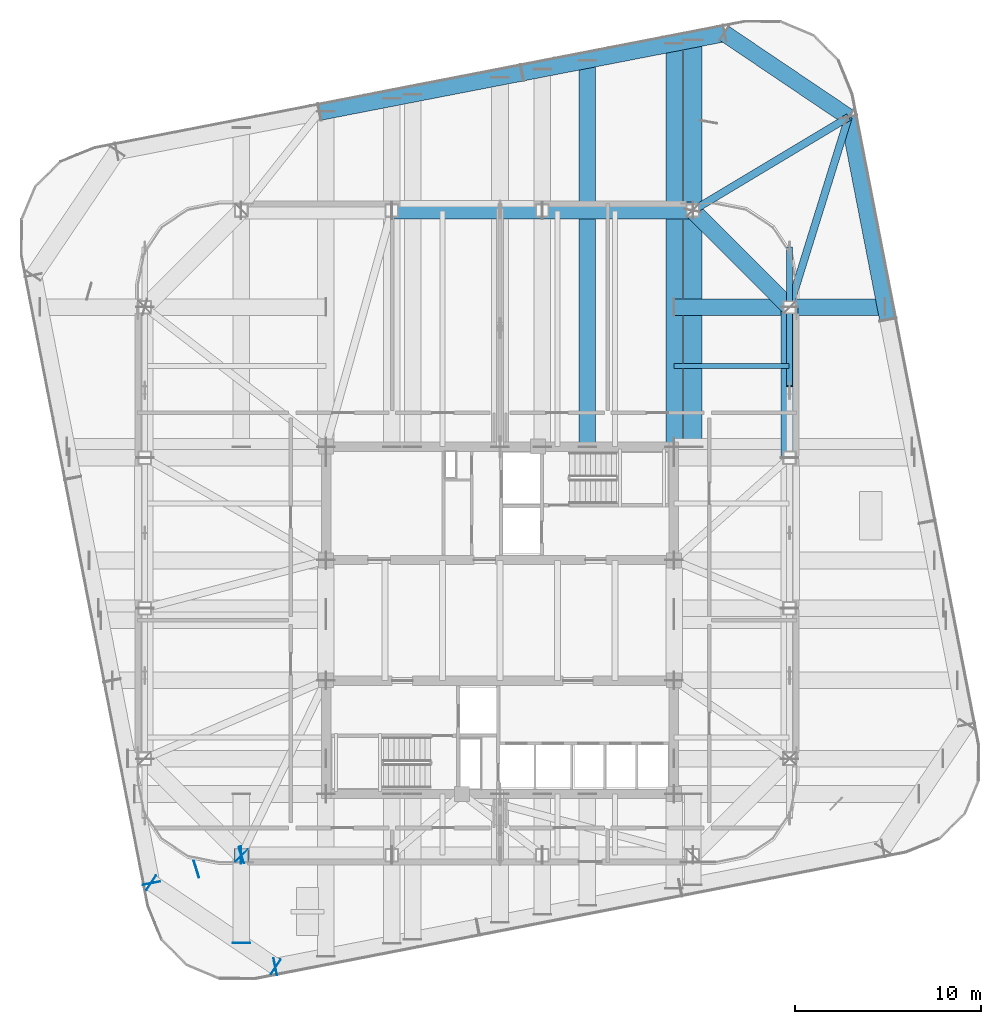
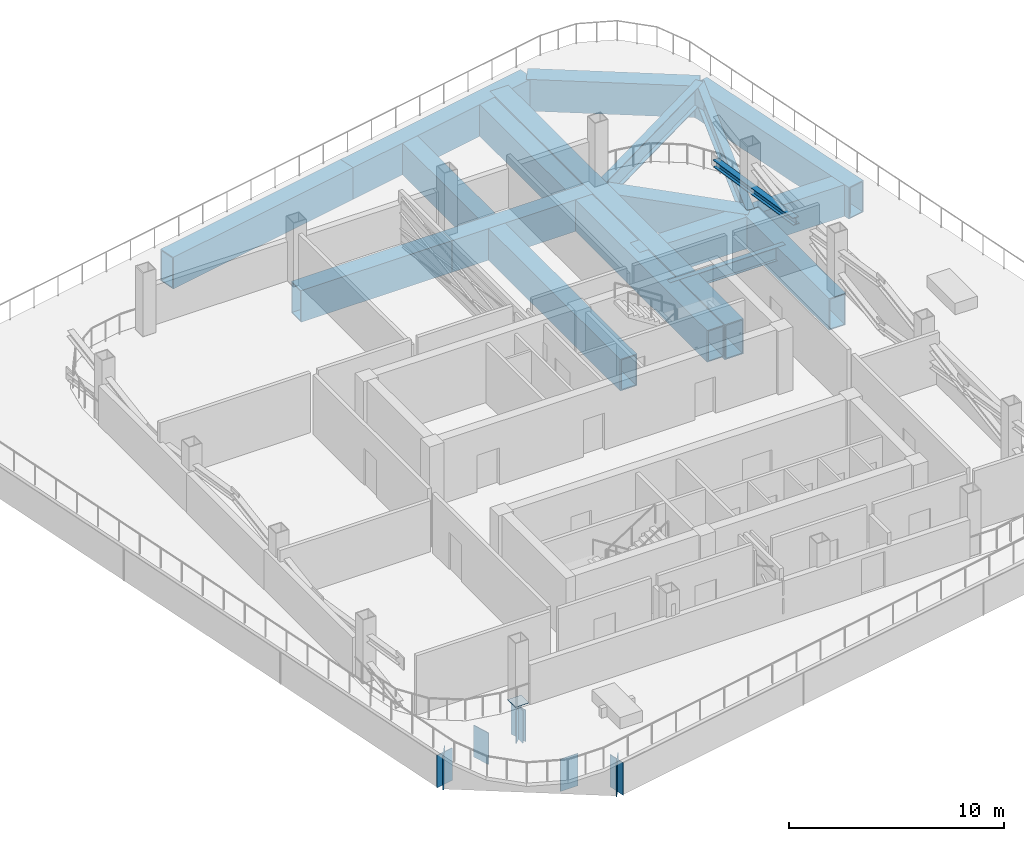
# One storey, part 3 of 14: 15 beams, 10 plates, 1 member.
"""IFC4 building model written with IfcOpenShell, lengths in metres."""

import ifcopenshell
import ifcopenshell.guid

model = None  # the IFC model being written
_history = None  # IfcOwnerHistory: only IFC2X3 demands one
_inside = {}  # id of a spatial element -> (the spatial element, [elements in it])
_under = {}  # id of a project, library or spatial element -> (it, [spatial elements below it])
_declared = {}  # id of a project -> (the project, [libraries it declares])
_typed = {}  # id of a type object -> (the type object, [elements of that type])
_made_of = {}  # id of a material, layer set ... -> (it, [elements and type objects made of it])


def new_model(schema):
    """Start an empty IFC model of exactly this schema.

    Asked for "IFC4X3", IfcOpenShell would pick the latest addendum, in which some entities
    have other attributes; the version numbers below select the first issue.
    IFC2X3 requires an IfcOwnerHistory on every rooted entity: one is made here for all.
    """
    global model, _history
    if schema == "IFC4X3":
        model = ifcopenshell.file(schema_version=(4, 3, 0, 0))
    else:
        model = ifcopenshell.file(schema=schema)
    _inside.clear()
    _under.clear()
    _declared.clear()
    _typed.clear()
    _made_of.clear()
    _history = None
    if model.schema == "IFC2X3":
        org = make("IfcOrganization", Name="unknown")
        user = make(
            "IfcPersonAndOrganization",
            ThePerson=make("IfcPerson", FamilyName="unknown"),
            TheOrganization=org,
        )
        app = make(
            "IfcApplication",
            ApplicationDeveloper=org,
            Version="unknown",
            ApplicationFullName="unknown",
            ApplicationIdentifier="unknown",
        )
        _history = make(
            "IfcOwnerHistory",
            OwningUser=user,
            OwningApplication=app,
            ChangeAction="ADDED",
            CreationDate=0,
        )
    return model


def make(cls, **values):
    """One entity of the class cls with the attributes given. An attribute that is None is left unset."""
    return model.create_entity(
        cls, **{name: value for name, value in values.items() if value is not None}
    )


def rooted(cls, **values):
    """An entity with a GlobalId (a new one), such as an element, a storey or a relation."""
    return make(cls, GlobalId=ifcopenshell.guid.new(), OwnerHistory=_history, **values)


def si_unit(unit_type, name, prefix=None):
    """IfcSIUnit, for example si_unit("LENGTHUNIT", "METRE", prefix="MILLI")."""
    return make("IfcSIUnit", UnitType=unit_type, Prefix=prefix, Name=name)


def assignment(units):
    """IfcUnitAssignment: the units of a project."""
    return None if units is None else make("IfcUnitAssignment", Units=units)


def point(xyz):
    """IfcCartesianPoint."""
    return None if xyz is None else make("IfcCartesianPoint", Coordinates=xyz)


def direction(xyz):
    """IfcDirection."""
    return None if xyz is None else make("IfcDirection", DirectionRatios=xyz)


def frame(location, z_axis=None, x_axis=None):
    """IfcAxis2Placement3D, a coordinate frame: its origin and axes. An axis left out is left unset."""
    return make(
        "IfcAxis2Placement3D",
        Location=point(location),
        Axis=direction(z_axis),
        RefDirection=direction(x_axis),
    )


def frame_2d(location, x_axis=None):
    """IfcAxis2Placement2D, a coordinate frame in the plane: its origin and x axis."""
    return make(
        "IfcAxis2Placement2D", Location=point(location), RefDirection=direction(x_axis)
    )


def origin():
    """The frame at (0, 0, 0) with its axes left unset."""
    return frame((0.0, 0.0, 0.0))


def origin_2d():
    """The frame at (0, 0) in the plane with its x axis left unset."""
    return frame_2d((0.0, 0.0))


def place(relative_to, where):
    """IfcLocalPlacement: puts the frame where relative to a parent placement (None: the world)."""
    return make(
        "IfcLocalPlacement", PlacementRelTo=relative_to, RelativePlacement=where
    )


def context(
    kind, dimensions, precision=None, world=None, true_north=None, identifier=None
):
    """IfcGeometricRepresentationContext, for example the 3D "Model" context."""
    return make(
        "IfcGeometricRepresentationContext",
        ContextIdentifier=identifier,
        ContextType=kind,
        CoordinateSpaceDimension=dimensions,
        Precision=precision,
        WorldCoordinateSystem=world,
        TrueNorth=true_north,
    )


def subcontext(parent, identifier, kind, view, scale=None):
    """IfcGeometricRepresentationSubContext, for example "Body" below "Model"."""
    return make(
        "IfcGeometricRepresentationSubContext",
        ContextIdentifier=identifier,
        ContextType=kind,
        ParentContext=parent,
        TargetScale=scale,
        TargetView=view,
    )


def project(units=None, contexts=None):
    """IfcProject with its units and contexts."""
    return rooted(
        "IfcProject",
        Name="project",
        RepresentationContexts=contexts,
        UnitsInContext=assignment(units),
    )


def spatial(cls, under=None, at=None, **own):
    """A site, building, storey or space (cls), placed at a placement, below another one or the project."""
    s = rooted(cls, ObjectPlacement=at, **own)
    if under is not None:
        _under.setdefault(under.id(), (under, []))[1].append(s)
    return s


def profile(cls, at=None, kind="AREA", **sizes):
    """A parametric profile (cls). Its sizes go by their IFC names, for example OverallWidth=200.0."""
    return make(cls, ProfileType=kind, Position=at, **sizes)


def rectangle(**sizes):
    """IfcRectangleProfileDef."""
    return profile("IfcRectangleProfileDef", **sizes)


def hollow_rectangle(**sizes):
    """IfcRectangleHollowProfileDef."""
    return profile("IfcRectangleHollowProfileDef", **sizes)


def i_section(**sizes):
    """IfcIShapeProfileDef."""
    return profile("IfcIShapeProfileDef", **sizes)


def extrude(swept, where, along, depth):
    """IfcExtrudedAreaSolid: the profile swept, set in the frame where, extruded along a direction by depth."""
    return make(
        "IfcExtrudedAreaSolid",
        SweptArea=swept,
        Position=where,
        ExtrudedDirection=direction(along),
        Depth=depth,
    )


def shape(context_of_items, identifier, shape_type, items):
    """IfcShapeRepresentation: the items that make up one representation, for example the "Body"."""
    return make(
        "IfcShapeRepresentation",
        ContextOfItems=context_of_items,
        RepresentationIdentifier=identifier,
        RepresentationType=shape_type,
        Items=items,
    )


def material(Name=None, Category=None):
    """IfcMaterial."""
    return make("IfcMaterial", Name=Name, Category=Category)


def layer(
    of_material, thickness, ventilated=None, Name=None, Category=None, Priority=None
):
    """IfcMaterialLayer: one layer of a wall or slab, of a material (None: an air gap)."""
    return make(
        "IfcMaterialLayer",
        Material=of_material,
        LayerThickness=thickness,
        IsVentilated=ventilated,
        Name=Name,
        Category=Category,
        Priority=Priority,
    )


def layer_set(layers, Name=None):
    """IfcMaterialLayerSet."""
    return make("IfcMaterialLayerSet", MaterialLayers=layers, LayerSetName=Name)


def material_profile(
    of_material, cross_section, Name=None, Category=None, Priority=None
):
    """IfcMaterialProfile: a cross section and its material."""
    return make(
        "IfcMaterialProfile",
        Name=Name,
        Material=of_material,
        Profile=cross_section,
        Priority=Priority,
        Category=Category,
    )


def profile_set(profiles, Name=None, composite=None):
    """IfcMaterialProfileSet."""
    return make(
        "IfcMaterialProfileSet",
        Name=Name,
        MaterialProfiles=profiles,
        CompositeProfile=composite,
    )


def made_of(thing, what):
    """Note that an element or type object is made of a material, layer set ...; save() writes the relation."""
    if what is not None:
        _made_of.setdefault(what.id(), (what, []))[1].append(thing)
    return thing


def type_object(cls, material=None, **own):
    """A type object (cls), such as IfcWallType, which elements share."""
    return made_of(rooted(cls, **own), material)


def element(
    cls,
    number,
    at=None,
    inside=None,
    cuts=None,
    type_object=None,
    material=None,
    context=None,
    identifier="Body",
    shape_type=None,
    held_by="IfcProductDefinitionShape",
    body=None,
    shapes=None,
    **own,
):
    """One element of the class cls, such as IfcWall. Its Tag is "e" and its number.

    at: its placement. inside: the storey or other place that contains it. cuts: it is an
    opening in that element (IfcRelVoidsElement). A single representation is given by context,
    identifier, shape_type and body (its items); several are given by shapes. held_by: the class
    of the entity that holds the representations. save() writes the other relations.
    """
    e = rooted(cls, Tag="e%d" % number, ObjectPlacement=at, **own)
    if body is not None:
        shapes = [shape(context, identifier, shape_type, body)]
    if shapes is not None:
        e.Representation = make(held_by, Representations=shapes)
    if inside is not None:
        _inside.setdefault(inside.id(), (inside, []))[1].append(e)
    if cuts is not None:
        rooted(
            "IfcRelVoidsElement", RelatingBuildingElement=cuts, RelatedOpeningElement=e
        )
    if type_object is not None:
        _typed.setdefault(type_object.id(), (type_object, []))[1].append(e)
    return made_of(e, material)


def aggregate(whole, parts):
    """IfcRelAggregates: a whole, such as a stair, and the parts it consists of."""
    return rooted("IfcRelAggregates", RelatingObject=whole, RelatedObjects=parts)


def save(model, path):
    """Write the relations noted so far, then the file.

    IfcRelAggregates (storeys below a building ...), IfcRelContainedInSpatialStructure (elements
    in a storey), IfcRelDefinesByType, IfcRelAssociatesMaterial and IfcRelDeclares: one each for
    every whole, place, type object, material and project.
    """
    for whole, parts in _under.values():
        aggregate(whole, parts)
    for where, things in _inside.values():
        rooted(
            "IfcRelContainedInSpatialStructure",
            RelatedElements=things,
            RelatingStructure=where,
        )
    for kind, things in _typed.values():
        rooted("IfcRelDefinesByType", RelatedObjects=things, RelatingType=kind)
    for what, things in _made_of.values():
        rooted("IfcRelAssociatesMaterial", RelatedObjects=things, RelatingMaterial=what)
    for by, libraries in _declared.values():
        rooted("IfcRelDeclares", RelatingContext=by, RelatedDefinitions=libraries)
    model.write(path)


model = new_model("IFC4")

# Units and contexts
model_context = context("Model", 3, precision=1e-05, world=origin(), true_north=direction((0.0, 1.0)))
body_context = subcontext(model_context, "Body", "Model", "MODEL_VIEW")
ifc_project = project(units=[si_unit("LENGTHUNIT", "METRE"), si_unit("AREAUNIT", "SQUARE_METRE"), si_unit("VOLUMEUNIT", "CUBIC_METRE"), si_unit("PLANEANGLEUNIT", "RADIAN"), si_unit("MASSUNIT", "GRAM", prefix="KILO")], contexts=[model_context])

# Site, building, storey
site_placement = place(None, origin())
site = spatial("IfcSite", under=ifc_project, at=site_placement, CompositionType="ELEMENT")
building_placement = place(site_placement, origin())
building = spatial("IfcBuilding", under=site, at=building_placement, Name="Qhalaya Broadcast Tower", CompositionType="ELEMENT")
storey_placement = place(building_placement, frame((0.0, 0.0, 144.60009765625)))
storey = spatial("IfcBuildingStorey", under=building, at=storey_placement, Name="L42", CompositionType="ELEMENT", Elevation=144.60009765625)

# Member
ifc_material_1 = material(Name="Structural Steel ASTM A572 Grade 50", Category="steel")
ifc_material_profile_1 = material_profile(ifc_material_1, i_section(OverallWidth=0.31298828125, OverallDepth=0.3798828125, WebThickness=0.01806640625, FlangeThickness=0.028076171875, at=origin_2d()), Name="W12X120")
ifc_profile_set_1 = profile_set([ifc_material_profile_1], Name="Structural Steel ASTM A572 Grade 50")
member_type = type_object("IfcMemberType", Name="Belt-Truss Diagonal Brace OB2", PredefinedType="BRACE", material=ifc_profile_set_1)
member_placement = place(storey_placement, frame((15.580078125, 13.2021484375, 1.65478515625), z_axis=(0.0, 0.987200117678, -0.159486449757), x_axis=(-1.0, 0.0, 0.0)))
element("IfcMember", 1, at=member_placement, inside=storey, type_object=member_type, Name="L42 Belt Truss Split Brace E2B2", PredefinedType="BRACE", context=body_context, shape_type="SweptSolid", body=[
    extrude(i_section(OverallWidth=0.31298828125, OverallDepth=0.3798828125, WebThickness=0.01806640625, FlangeThickness=0.028076171875, at=origin_2d()), origin(), (0.0, 0.0, 1.0), 7.554443359375),
])

# Beams
ifc_material_profile_2 = material_profile(ifc_material_1, hollow_rectangle(XDim=0.89990234375, YDim=1.800048828125, WallThickness=0.06005859375, at=origin_2d()), Name="BOX 900x1800x60")
ifc_profile_set_2 = profile_set([ifc_material_profile_2], Name="Structural Steel ASTM A572 Grade 50")
beam_type_1 = type_object("IfcBeamType", Name="Block Cantilever Transfer Box Girder TG1", PredefinedType="USERDEFINED", material=ifc_profile_set_2)
beam_1_placement = place(storey_placement, frame((15.580078125, 9.360107421875, -1.18017578125), z_axis=(0.0, 1.0, 0.0), x_axis=(-1.0, 0.0, 0.0)))
element("IfcBeam", 2, at=beam_1_placement, inside=storey, type_object=beam_type_1, Name="L42 TG1 L42-SPR-07", ObjectType="GIRDER", PredefinedType="USERDEFINED", context=body_context, shape_type="SweptSolid", body=[
    extrude(hollow_rectangle(XDim=0.89990234375, YDim=1.800048828125, WallThickness=0.06005859375, at=origin_2d()), origin(), (0.0, 0.0, 1.0), 8.099853515625),
])
beam_2_placement = place(storey_placement, frame((15.580078125, 17.4599609375, -1.18017578125), z_axis=(-0.707123380132, 0.707090181851, 0.0), x_axis=(-0.707090181851, -0.707123380132, 0.0)))
element("IfcBeam", 3, at=beam_2_placement, inside=storey, type_object=beam_type_1, Name="L42 TG1 L42-SPR-08", ObjectType="GIRDER", PredefinedType="USERDEFINED", context=body_context, shape_type="SweptSolid", body=[
    extrude(hollow_rectangle(XDim=0.89990234375, YDim=1.800048828125, WallThickness=0.06005859375, at=origin_2d()), origin(), (0.0, 0.0, 1.0), 7.35400390625),
])
beam_3_placement = place(storey_placement, frame((10.3798828125, 22.659912109375, -1.18017578125), z_axis=(-1.0, 0.0, 0.0), x_axis=(0.0, -1.0, 0.0)))
element("IfcBeam", 4, at=beam_3_placement, inside=storey, type_object=beam_type_1, Name="L42 TG1 L42-SPR-09", ObjectType="GIRDER", PredefinedType="USERDEFINED", context=body_context, shape_type="SweptSolid", body=[
    extrude(hollow_rectangle(XDim=0.89990234375, YDim=1.800048828125, WallThickness=0.06005859375, at=origin_2d()), origin(), (0.0, 0.0, 1.0), 8.099853515625),
])
beam_4_placement = place(storey_placement, frame((2.280029296875, 22.659912109375, -1.18017578125), z_axis=(-1.0, 0.0, 0.0), x_axis=(0.0, -1.0, 0.0)))
element("IfcBeam", 5, at=beam_4_placement, inside=storey, type_object=beam_type_1, Name="L42 TG1 L42-SPR-10", ObjectType="GIRDER", PredefinedType="USERDEFINED", context=body_context, shape_type="SweptSolid", body=[
    extrude(hollow_rectangle(XDim=0.89990234375, YDim=1.800048828125, WallThickness=0.06005859375, at=origin_2d()), origin(), (0.0, 0.0, 1.0), 8.10009765625),
])
beam_5_placement = place(storey_placement, frame((20.88037109375, 16.79248046875, -1.18017578125), z_axis=(-0.190800781233, 0.98162878008, 0.0), x_axis=(-0.98162878008, -0.190800781233, 0.0)))
element("IfcBeam", 6, at=beam_5_placement, inside=storey, type_object=beam_type_1, Name="L42 TG1 L42-TGL-07", ObjectType="GIRDER", PredefinedType="USERDEFINED", context=body_context, shape_type="SweptSolid", body=[
    extrude(hollow_rectangle(XDim=0.89990234375, YDim=1.800048828125, WallThickness=0.06005859375, at=origin_2d()), origin(), (0.0, 0.0, 1.0), 11.10009765625),
])
beam_6_placement = place(storey_placement, frame((18.762451171875, 27.688720703125, -1.18017578125), z_axis=(-0.829042088473, 0.559186208288, 0.0), x_axis=(-0.559186208288, -0.829042088473, 0.0)))
element("IfcBeam", 7, at=beam_6_placement, inside=storey, type_object=beam_type_1, Name="L42 TG1 L42-TGL-08", ObjectType="GIRDER", PredefinedType="USERDEFINED", context=body_context, shape_type="SweptSolid", body=[
    extrude(hollow_rectangle(XDim=0.89990234375, YDim=1.800048828125, WallThickness=0.06005859375, at=origin_2d()), origin(), (0.0, 0.0, 1.0), 8.06103515625),
])
beam_7_placement = place(storey_placement, frame((12.07958984375, 32.1962890625, -1.18017578125), z_axis=(-0.98162878008, -0.190800781233, 0.0), x_axis=(0.190800781233, -0.98162878008, 0.0)))
element("IfcBeam", 8, at=beam_7_placement, inside=storey, type_object=beam_type_1, Name="L42 TG1 L42-TGL-09", ObjectType="GIRDER", PredefinedType="USERDEFINED", context=body_context, shape_type="SweptSolid", body=[
    extrude(hollow_rectangle(XDim=0.89990234375, YDim=1.800048828125, WallThickness=0.06005859375, at=origin_2d()), origin(), (0.0, 0.0, 1.0), 11.10009765625),
])
beam_8_placement = place(storey_placement, frame((1.183349609375, 30.078369140625, -1.18017578125), z_axis=(-0.981627979352, -0.190804900759, 0.0), x_axis=(0.190804900759, -0.981627979352, 0.0)))
element("IfcBeam", 9, at=beam_8_placement, inside=storey, type_object=beam_type_1, Name="L42 TG1 L42-TGL-10", ObjectType="GIRDER", PredefinedType="USERDEFINED", context=body_context, shape_type="SweptSolid", body=[
    extrude(hollow_rectangle(XDim=0.89990234375, YDim=1.800048828125, WallThickness=0.06005859375, at=origin_2d()), origin(), (0.0, 0.0, 1.0), 11.099853515625),
])
beam_9_placement = place(storey_placement, frame((9.375, 9.949951171875, -1.18017578125), z_axis=(0.0, 1.0, 0.0), x_axis=(-1.0, 0.0, 0.0)))
element("IfcBeam", 10, at=beam_9_placement, inside=storey, type_object=beam_type_1, Name="L42 TG1 L42-TGINE-1", ObjectType="GIRDER", PredefinedType="USERDEFINED", context=body_context, shape_type="SweptSolid", body=[
    extrude(hollow_rectangle(XDim=0.89990234375, YDim=1.800048828125, WallThickness=0.06005859375, at=origin_2d()), origin(), (0.0, 0.0, 1.0), 21.679931640625),
])
beam_10_placement = place(storey_placement, frame((4.699951171875, 9.949951171875, -1.18017578125), z_axis=(0.0, 1.0, 0.0), x_axis=(-1.0, 0.0, 0.0)))
element("IfcBeam", 11, at=beam_10_placement, inside=storey, type_object=beam_type_1, Name="L42 TG1 L42-TGIMNE-1", ObjectType="GIRDER", PredefinedType="USERDEFINED", context=body_context, shape_type="SweptSolid", body=[
    extrude(hollow_rectangle(XDim=0.89990234375, YDim=1.800048828125, WallThickness=0.06005859375, at=origin_2d()), origin(), (0.0, 0.0, 1.0), 20.771240234375),
])
beam_11_placement = place(storey_placement, frame((9.375, 17.4599609375, -1.18017578125), z_axis=(1.0, 0.0, 0.0), x_axis=(0.0, 1.0, 0.0)))
element("IfcBeam", 12, at=beam_11_placement, inside=storey, type_object=beam_type_1, Name="L42 Spanning Transfer Box Girder 08", ObjectType="GIRDER", PredefinedType="USERDEFINED", context=body_context, shape_type="SweptSolid", body=[
    extrude(hollow_rectangle(XDim=0.89990234375, YDim=1.800048828125, WallThickness=0.06005859375, at=origin_2d()), origin(), (0.0, 0.0, 1.0), 11.3349609375),
])
ifc_material_2 = material(Name="Structural Steel ASTM A992 Grade 50", Category="steel")
ifc_material_profile_3 = material_profile(ifc_material_2, i_section(OverallWidth=0.26708984375, OverallDepth=0.761962890625, WebThickness=0.014404296875, FlangeThickness=0.021484375, at=origin_2d()), Name="W30X116")
ifc_profile_set_3 = profile_set([ifc_material_profile_3], Name="Structural Steel ASTM A992 Grade 50")
beam_type_2 = type_object("IfcBeamType", Name="Plant & Server Floor Beam B02", PredefinedType="BEAM", material=ifc_profile_set_3)
beam_12_placement = place(storey_placement, frame((9.375, 14.300048828125, -0.6611328125), z_axis=(1.0, 0.0, 0.0), x_axis=(0.0, 1.0, 0.0)))
element("IfcBeam", 13, at=beam_12_placement, inside=storey, type_object=beam_type_2, Name="L42 B02 L42-JWE6E-1", PredefinedType="BEAM", context=body_context, shape_type="SweptSolid", body=[
    extrude(i_section(OverallWidth=0.26708984375, OverallDepth=0.761962890625, WebThickness=0.014404296875, FlangeThickness=0.021484375, at=origin_2d()), origin(), (0.0, 0.0, 1.0), 6.18505859375),
])
ifc_material_profile_4 = material_profile(ifc_material_2, i_section(OverallWidth=0.404052734375, OverallDepth=1.117919921875, WebThickness=0.026123046875, FlangeThickness=0.044921875, at=origin_2d()), Name="W44X335")
ifc_profile_set_4 = profile_set([ifc_material_profile_4], Name="Structural Steel ASTM A992 Grade 50")
beam_type_3 = type_object("IfcBeamType", Name="Podium Long-Span Primary Girder PG1", PredefinedType="USERDEFINED", material=ifc_profile_set_4)
beam_13_placement = place(storey_placement, frame((18.762451171875, 27.688720703125, -0.839111328125), z_axis=(-0.29707440258, -0.954854334091, 0.0), x_axis=(0.954854334091, -0.29707440258, 0.0)))
element("IfcBeam", 14, at=beam_13_placement, inside=storey, type_object=beam_type_3, Name="L42 Column-to-Column Moment Tie Girder 08-2", ObjectType="GIRDER", PredefinedType="USERDEFINED", context=body_context, shape_type="SweptSolid", body=[
    extrude(i_section(OverallWidth=0.404052734375, OverallDepth=1.117919921875, WebThickness=0.026123046875, FlangeThickness=0.044921875, at=origin_2d()), origin(), (0.0, 0.0, 1.0), 10.71240234375),
])
beam_14_placement = place(storey_placement, frame((18.762451171875, 27.688720703125, -0.839111328125), z_axis=(-0.85752597945, -0.514440661853, 0.0), x_axis=(0.514440661853, -0.85752597945, 0.0)))
element("IfcBeam", 15, at=beam_14_placement, inside=storey, type_object=beam_type_3, Name="L42 Column-to-Column Moment Tie Girder 09-2", ObjectType="GIRDER", PredefinedType="USERDEFINED", context=body_context, shape_type="SweptSolid", body=[
    extrude(i_section(OverallWidth=0.404052734375, OverallDepth=1.117919921875, WebThickness=0.026123046875, FlangeThickness=0.044921875, at=origin_2d()), origin(), (0.0, 0.0, 1.0), 9.775390625),
])
ifc_material_profile_5 = material_profile(ifc_material_1, hollow_rectangle(XDim=1.0, YDim=2.0, WallThickness=0.06494140625, at=origin_2d()), Name="BOX 1000x2000x65")
ifc_profile_set_5 = profile_set([ifc_material_profile_5], Name="Structural Steel ASTM A572 Grade 50")
beam_type_4 = type_object("IfcBeamType", Name="Podium Soundstage Transfer Box Girder TG0", PredefinedType="USERDEFINED", material=ifc_profile_set_5)
beam_15_placement = place(storey_placement, frame((10.3798828125, 9.949951171875, -1.280029296875), z_axis=(0.0, 1.0, 0.0), x_axis=(-1.0, 0.0, 0.0)))
element("IfcBeam", 16, at=beam_15_placement, inside=storey, type_object=beam_type_4, Name="L42 Spanning Transfer Box Girder 09", ObjectType="GIRDER", PredefinedType="USERDEFINED", context=body_context, shape_type="SweptSolid", body=[
    extrude(hollow_rectangle(XDim=1.0, YDim=2.0, WallThickness=0.06494140625, at=origin_2d()), origin(), (0.0, 0.0, 1.0), 21.875244140625),
])

# Plates
ifc_layer_1 = layer(ifc_material_1, 0.4599609375, Name="Structural Steel ASTM A572 Grade 50")
ifc_layer_set_1 = layer_set([ifc_layer_1], Name="Structural Steel ASTM A572 Grade 50")
plate_type_1 = type_object("IfcPlateType", Name="Hollow Box Member End Cap Plate CP-01", PredefinedType="USERDEFINED", material=ifc_layer_set_1)
for number, where, z_axis, x_axis, name in (
    (17, (-13.93603515625, -12.0400390625, -2.10009765625), (0.0, 0.0, 1.0), (0.0, 1.0, 0.0), "L42 Hollow Girder End Cap L42-SPR-01-A"),
    (18, (-13.90869140625, -12.05126953125, -2.10009765625), (0.0, 0.0, 1.0), (0.707106781187, 0.707106781187, 0.0), "L42 Hollow Girder End Cap L42-SPR-16-B"),
    (19, (-12.09521484375, -18.039306640625, -2.10009765625), (0.0, 0.0, 1.0), (-0.190808995377, 0.981627183448, 0.0), "L42 Hollow Girder End Cap L42-TGL-01-A"),
    (20, (-18.75927734375, -13.54443359375, -2.10009765625), (0.0, 0.0, 1.0), (0.981627183448, 0.190808995377, 0.0), "L42 Hollow Girder End Cap L42-TGL-15-B"),
    (21, (-18.775634765625, -13.519775390625, -2.10009765625), (0.0, 0.0, 1.0), (0.559192903471, 0.829037572555, 0.0), "L42 Hollow Girder End Cap L42-TGL-16-A"),
    (22, (-12.066162109375, -18.045166015625, -2.10009765625), (0.0, 0.0, 1.0), (0.559192903471, 0.829037572555, 0.0), "L42 Hollow Girder End Cap L42-TGL-16-B"),
    (23, (-13.919921875, -16.7626953125, -2.10009765625), (0.0, 0.0, 1.0), (-1.0, 0.0, 0.0), "L42 Hollow Girder End Cap L42-TGC-01-A"),
):
    element("IfcPlate", number, at=place(storey_placement, frame(where, z_axis=z_axis, x_axis=x_axis)), inside=storey, type_object=plate_type_1, Name=name, ObjectType="COVER_PLATE", PredefinedType="USERDEFINED", context=body_context, shape_type="SweptSolid", body=[
        extrude(rectangle(XDim=0.93994140625, YDim=0.031982421875, at=origin_2d()), origin(), (0.0, 0.0, 1.0), 1.840087890625),
    ])
plate_1_placement = place(storey_placement, frame((-13.919921875, -12.0400390625, -2.080078125), z_axis=(0.0, 0.0, 1.0), x_axis=(-0.293856820729, 0.955849448873, 0.0)))
element("IfcPlate", 24, at=plate_1_placement, inside=storey, type_object=plate_type_1, Name="L42 Transfer Box End Cap 01", ObjectType="COVER_PLATE", PredefinedType="USERDEFINED", context=body_context, shape_type="SweptSolid", body=[
    extrude(rectangle(XDim=0.919921875, YDim=0.035888671875, at=origin_2d()), origin(), (0.0, 0.0, 1.0), 1.800048828125),
])
plate_2_placement = place(storey_placement, frame((-13.919921875, -12.0400390625, -0.0322265625), z_axis=(0.0, 0.0, 1.0), x_axis=(1.0, 0.0, 0.0)))
element("IfcPlate", 25, at=plate_2_placement, inside=storey, type_object=plate_type_1, Name="L42 Hollow Box Column Base Cap Plate COL-NK01", ObjectType="COVER_PLATE", PredefinedType="USERDEFINED", context=body_context, shape_type="SweptSolid", body=[
    extrude(rectangle(XDim=0.739990234375, YDim=0.739990234375, at=origin_2d()), origin(), (0.0, 0.0, 1.0), 0.031982421875),
])
ifc_layer_2 = layer(ifc_material_1, 0.044921875, Name="Structural Steel ASTM A572 Grade 50")
ifc_layer_set_2 = layer_set([ifc_layer_2], Name="Structural Steel ASTM A572 Grade 50")
plate_type_2 = type_object("IfcPlateType", Name="Transfer Girder Web Stiffener Plate WS-01", PredefinedType="USERDEFINED", material=ifc_layer_set_2)
plate_3_placement = place(storey_placement, frame((-16.34130859375, -12.7841796875, -2.080078125), z_axis=(0.0, 0.0, 1.0), x_axis=(-0.293856820729, 0.955849448873, 0.0)))
element("IfcPlate", 26, at=plate_3_placement, inside=storey, type_object=plate_type_2, Name="L42 Transfer Girder Stiffener 01", ObjectType="STIFFENER_PLATE", PredefinedType="USERDEFINED", context=body_context, shape_type="SweptSolid", body=[
    extrude(rectangle(XDim=0.93994140625, YDim=0.044921875, at=origin_2d()), origin(), (0.0, 0.0, 1.0), 1.800048828125),
])

save(model, "model.ifc")
